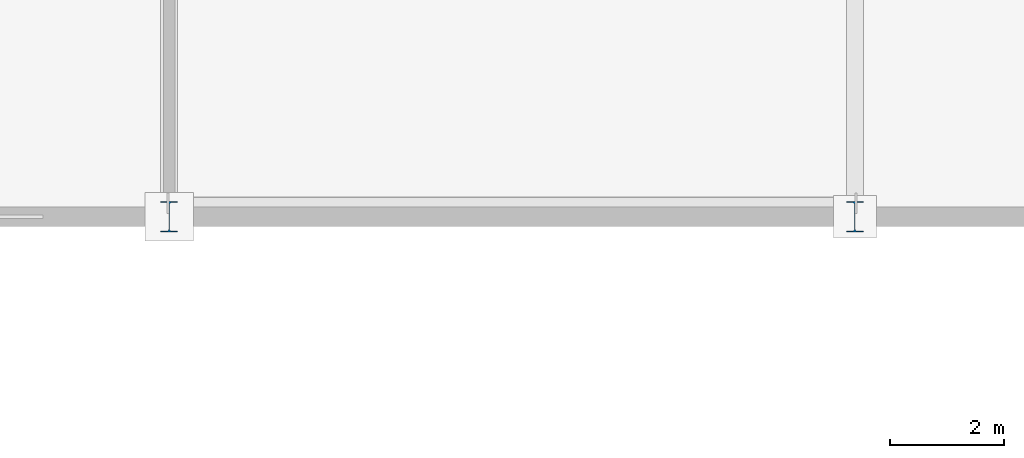
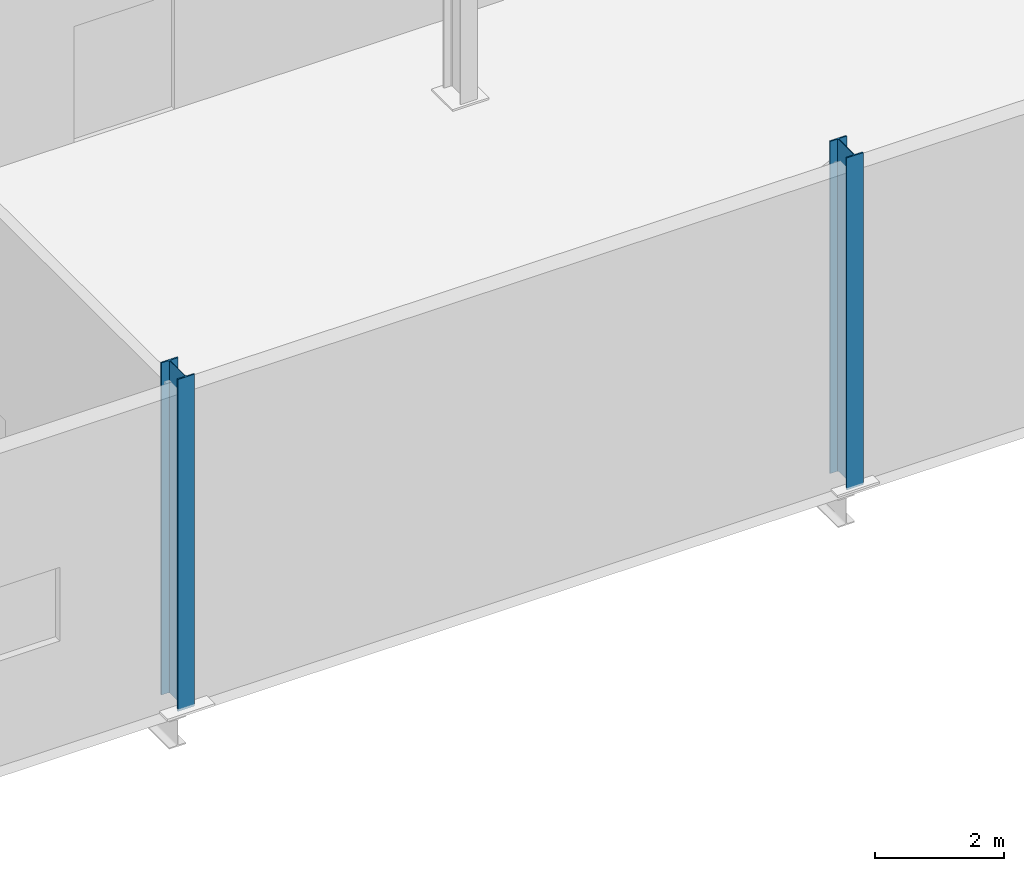
# One storey, part 14 of 196: 2 columns.
"""IFC4 building model written with IfcOpenShell, lengths in metres."""

from ifc_helpers import new_model, si_unit, direction, frame, origin, origin_2d, place, context, subcontext, project, spatial, i_section, extrude, material, material_profile, profile_set, type_object, element, save


model = new_model("IFC4")

# Units and contexts
model_context = context("Model", 3, precision=1e-05, world=origin(), true_north=direction((0.0, 1.0)))
body_context = subcontext(model_context, "Body", "Model", "MODEL_VIEW")
ifc_project = project(units=[si_unit("LENGTHUNIT", "METRE"), si_unit("AREAUNIT", "SQUARE_METRE"), si_unit("VOLUMEUNIT", "CUBIC_METRE"), si_unit("PLANEANGLEUNIT", "RADIAN"), si_unit("MASSUNIT", "GRAM", prefix="KILO")], contexts=[model_context])

# Site, building, storey
site_placement = place(None, origin())
site = spatial("IfcSite", under=ifc_project, at=site_placement, CompositionType="ELEMENT")
building_placement = place(site_placement, origin())
building = spatial("IfcBuilding", under=site, at=building_placement, Name="Merenkruunu Market Hall", CompositionType="ELEMENT")
storey_placement = place(building_placement, origin())
storey = spatial("IfcBuildingStorey", under=building, at=storey_placement, Name="L00", CompositionType="ELEMENT", Elevation=0.0)

# Columns
ifc_material = material(Name="Steel S355J2", Category="steel")
ifc_material_profile = material_profile(ifc_material, i_section(OverallWidth=0.300048828125, OverallDepth=0.5400390625, WebThickness=0.012451171875, FlangeThickness=0.02392578125, FilletRadius=0.027099609375, at=origin_2d()), Name="HEA 550")
ifc_profile_set = profile_set([ifc_material_profile], Name="Steel S355J2")
column_type = type_object("IfcColumnType", Name="Structural Column C06", PredefinedType="COLUMN", material=ifc_profile_set)
for number, where, z_axis, x_axis, name in (
    (1, (112.800048828125, 87.60009765625, 0.0), (0.0, 0.0, 1.0), (1.0, 0.0, 0.0), "COL-L00-M-10"),
    (2, (124.800048828125, 87.60009765625, 0.0), (0.0, 0.0, 1.0), (1.0, 0.0, 0.0), "COL-L00-N-10"),
):
    element("IfcColumn", number, at=place(storey_placement, frame(where, z_axis=z_axis, x_axis=x_axis)), inside=storey, type_object=column_type, Name=name, PredefinedType="COLUMN", context=body_context, shape_type="SweptSolid", body=[
        extrude(i_section(OverallWidth=0.300048828125, OverallDepth=0.5400390625, WebThickness=0.012451171875, FlangeThickness=0.02392578125, FilletRadius=0.027099609375, at=origin_2d()), origin(), (0.0, 0.0, 1.0), 6.300048828125),
    ])

save(model, "model.ifc")
